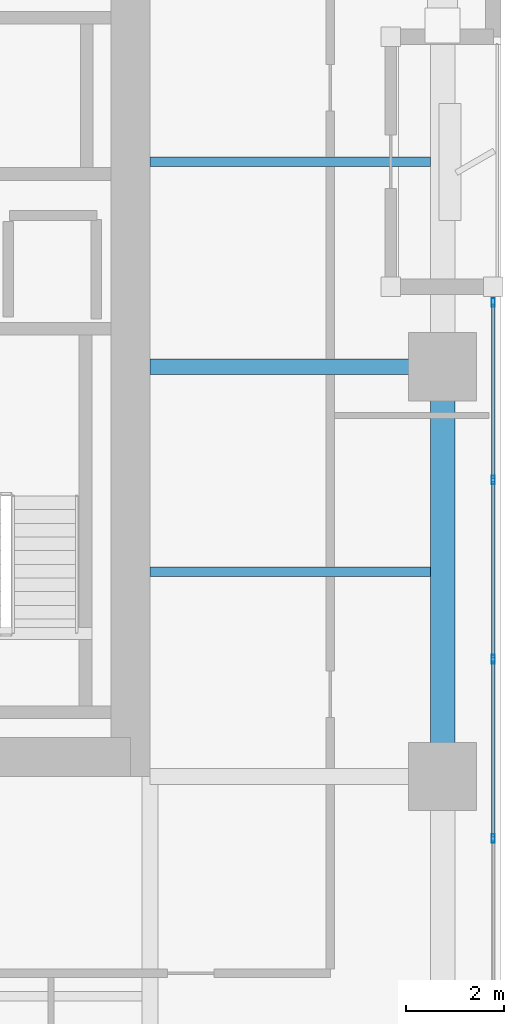
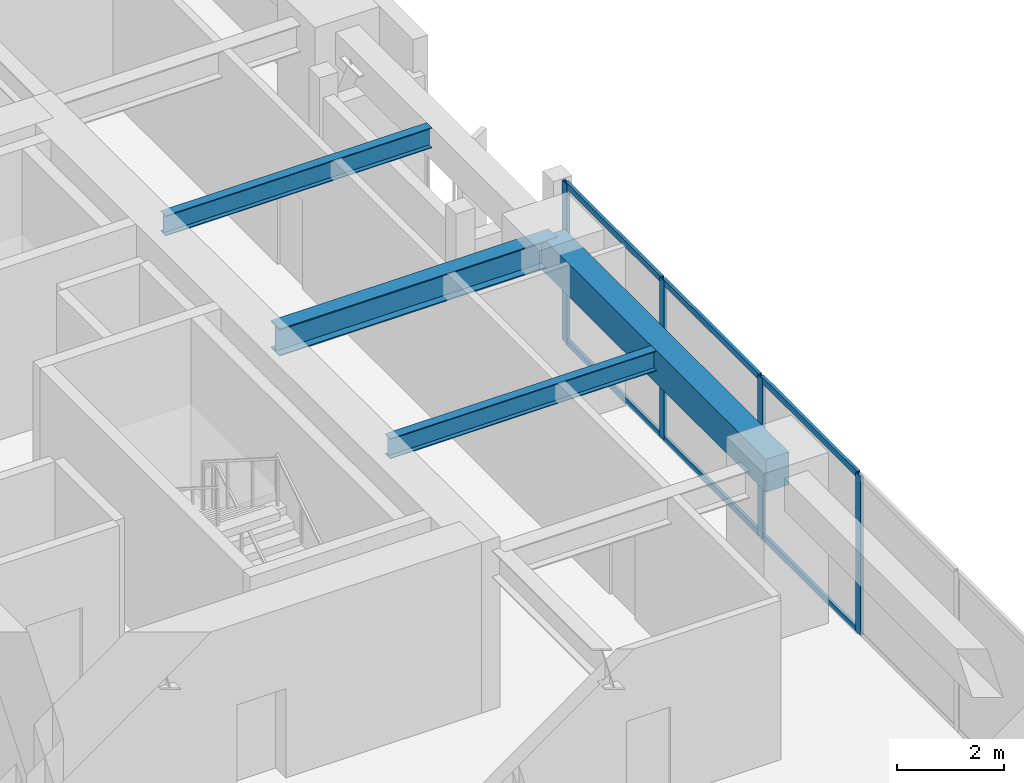
# One storey, part 6 of 24: 10 members, 4 beams, 1 element without a shape of its own.
"""IFC4 building model written with IfcOpenShell, lengths in metres."""

from ifc_helpers import new_model, si_unit, direction, frame, origin, origin_2d, place, context, subcontext, project, spatial, rectangle, hollow_rectangle, i_section, extrude, material, layer, layer_set, material_profile, profile_set, type_object, element, aggregate, save


model = new_model("IFC4")

# Units and contexts
model_context = context("Model", 3, precision=1e-05, world=origin(), true_north=direction((0.0, 1.0)))
body_context = subcontext(model_context, "Body", "Model", "MODEL_VIEW")
ifc_project = project(units=[si_unit("LENGTHUNIT", "METRE"), si_unit("AREAUNIT", "SQUARE_METRE"), si_unit("VOLUMEUNIT", "CUBIC_METRE"), si_unit("PLANEANGLEUNIT", "RADIAN"), si_unit("MASSUNIT", "GRAM", prefix="KILO")], contexts=[model_context])

# Site, building, storey
site_placement = place(None, origin())
site = spatial("IfcSite", under=ifc_project, at=site_placement, CompositionType="ELEMENT")
building_placement = place(site_placement, origin())
building = spatial("IfcBuilding", under=site, at=building_placement, Name="Kiyonajd Concourse Tower", CompositionType="ELEMENT")
storey_placement = place(building_placement, frame((0.0, 0.0, 113.10009765625)))
storey = spatial("IfcBuildingStorey", under=building, at=storey_placement, Name="L29", CompositionType="ELEMENT", Elevation=113.10009765625)

# Beams
ifc_material_1 = material(Name="Steel ASTM A992 Grade 50", Category="steel")
ifc_material_profile_1 = material_profile(ifc_material_1, i_section(OverallWidth=0.19189453125, OverallDepth=0.462890625, WebThickness=0.010498046875, FlangeThickness=0.017578125, at=origin_2d()), Name="W460X89")
ifc_profile_set_1 = profile_set([ifc_material_profile_1], Name="Steel ASTM A992 Grade 50")
beam_type_1 = type_object("IfcBeamType", Name="BM-JST-460B", PredefinedType="JOIST", material=ifc_profile_set_1)
for number, where, z_axis, x_axis, name in (
    (1, (63.60009765625, 31.800048828125, 3.408447265625), (1.0, 0.0, 0.0), (0.0, 1.0, 0.0), "L29 East Secondary Floor Joist"),
    (2, (63.60009765625, 40.199951171875, 3.408447265625), (1.0, 0.0, 0.0), (0.0, 1.0, 0.0), "L29 East Secondary Floor Joist"),
):
    element("IfcBeam", number, at=place(storey_placement, frame(where, z_axis=z_axis, x_axis=x_axis)), inside=storey, type_object=beam_type_1, Name=name, PredefinedType="JOIST", context=body_context, shape_type="SweptSolid", body=[
        extrude(i_section(OverallWidth=0.19189453125, OverallDepth=0.462890625, WebThickness=0.010498046875, FlangeThickness=0.017578125, at=origin_2d()), origin(), (0.0, 0.0, 1.0), 5.75),
    ])
ifc_material_2 = material(Name="Precast concrete C50/60", Category="concrete")
ifc_material_profile_2 = material_profile(ifc_material_2, rectangle(XDim=0.5, YDim=0.75, at=origin_2d()), Name="RCBM-500x750")
ifc_profile_set_2 = profile_set([ifc_material_profile_2], Name="Precast concrete C50/60")
beam_type_2 = type_object("IfcBeamType", Name="BM-SPAN-RC", PredefinedType="SPANDREL", material=ifc_profile_set_2)
beam_1_placement = place(storey_placement, frame((69.60009765625, 27.60009765625, 3.264892578125), z_axis=(0.0, 1.0, 0.0), x_axis=(-1.0, 0.0, 0.0)))
element("IfcBeam", 3, at=beam_1_placement, inside=storey, type_object=beam_type_2, Name="L29 Perimeter Bundled Tube Spandrel", PredefinedType="SPANDREL", context=body_context, shape_type="SweptSolid", body=[
    extrude(rectangle(XDim=0.5, YDim=0.75, at=origin_2d()), origin(), (0.0, 0.0, 1.0), 8.39990234375),
])
ifc_material_profile_3 = material_profile(ifc_material_1, i_section(OverallWidth=0.326904296875, OverallDepth=0.6220703125, WebThickness=0.015380859375, FlangeThickness=0.0244140625, at=origin_2d()), Name="W610X195")
ifc_profile_set_3 = profile_set([ifc_material_profile_3], Name="Steel ASTM A992 Grade 50")
beam_type_3 = type_object("IfcBeamType", Name="BM-TWR-610A", PredefinedType="BEAM", material=ifc_profile_set_3)
beam_2_placement = place(storey_placement, frame((63.60009765625, 36.0, 3.328857421875), z_axis=(1.0, 0.0, 0.0), x_axis=(0.0, 1.0, 0.0)))
element("IfcBeam", 4, at=beam_2_placement, inside=storey, type_object=beam_type_3, Name="L29 East Lease Girder", PredefinedType="BEAM", context=body_context, shape_type="SweptSolid", body=[
    extrude(i_section(OverallWidth=0.326904296875, OverallDepth=0.6220703125, WebThickness=0.015380859375, FlangeThickness=0.0244140625, at=origin_2d()), origin(), (0.0, 0.0, 1.0), 6.0),
])

# Curtain wall, members
ifc_material_3 = material(Name="Thermally Broken Anodised Aluminium", Category="aluminium")
ifc_layer = layer(ifc_material_3, 0.179931640625)
ifc_layer_set = layer_set([ifc_layer], Name="Thermally Broken Anodised Aluminium")
curtain_wall_type = type_object("IfcCurtainWallType", Name="CW-SYS-03", PredefinedType="NOTDEFINED", material=ifc_layer_set)
curtain_wall_placement = place(storey_placement, origin())
curtain_wall = element("IfcCurtainWall", 5, at=curtain_wall_placement, inside=storey, type_object=curtain_wall_type, Name="L29 Unitised Curtain Wall CW3", PredefinedType="NOTDEFINED")
ifc_material_profile_4 = material_profile(ifc_material_3, hollow_rectangle(XDim=0.06494140625, YDim=0.179931640625, WallThickness=0.00390625, at=origin_2d()), Name="MULL-65x180")
ifc_profile_set_4 = profile_set([ifc_material_profile_4], Name="Thermally Broken Anodised Aluminium")
member_type_1 = type_object("IfcMemberType", Name="MB-CW-MULL1", PredefinedType="MULLION", material=ifc_profile_set_4)
member_1_placement = place(storey_placement, frame((70.639892578125, 37.3173828125, 0.0), z_axis=(0.0, 0.0, 1.0), x_axis=(1.0, 0.0, 0.0)))
member_1 = element("IfcMember", 6, at=member_1_placement, type_object=member_type_1, Name="CW3 mullion 1", PredefinedType="MULLION", context=body_context, shape_type="SweptSolid", body=[
    extrude(hollow_rectangle(XDim=0.06494140625, YDim=0.179931640625, WallThickness=0.00390625, at=origin_2d()), origin(), (0.0, 0.0, 1.0), 3.639892578125),
])
member_2_placement = place(storey_placement, frame((70.639892578125, 33.6767578125, 0.0), z_axis=(0.0, 0.0, 1.0), x_axis=(1.0, 0.0, 0.0)))
member_2 = element("IfcMember", 7, at=member_2_placement, type_object=member_type_1, Name="CW3 mullion 2", PredefinedType="MULLION", context=body_context, shape_type="SweptSolid", body=[
    extrude(hollow_rectangle(XDim=0.06494140625, YDim=0.179931640625, WallThickness=0.00390625, at=origin_2d()), origin(), (0.0, 0.0, 1.0), 3.639892578125),
])
member_3_placement = place(storey_placement, frame((70.639892578125, 30.003662109375, 0.0), z_axis=(0.0, 0.0, 1.0), x_axis=(1.0, 0.0, 0.0)))
member_3 = element("IfcMember", 8, at=member_3_placement, type_object=member_type_1, Name="CW3 mullion 3", PredefinedType="MULLION", context=body_context, shape_type="SweptSolid", body=[
    extrude(hollow_rectangle(XDim=0.06494140625, YDim=0.179931640625, WallThickness=0.00390625, at=origin_2d()), origin(), (0.0, 0.0, 1.0), 3.639892578125),
])
member_4_placement = place(storey_placement, frame((70.639892578125, 26.33056640625, 0.0), z_axis=(0.0, 0.0, 1.0), x_axis=(1.0, 0.0, 0.0)))
member_4 = element("IfcMember", 9, at=member_4_placement, type_object=member_type_1, Name="CW3 mullion 4", PredefinedType="MULLION", context=body_context, shape_type="SweptSolid", body=[
    extrude(hollow_rectangle(XDim=0.06494140625, YDim=0.179931640625, WallThickness=0.00390625, at=origin_2d()), origin(), (0.0, 0.0, 1.0), 3.639892578125),
])
ifc_material_profile_5 = material_profile(ifc_material_3, hollow_rectangle(XDim=0.06494140625, YDim=0.139892578125, WallThickness=0.00390625, at=origin_2d()), Name="TRAN-65x140")
ifc_profile_set_5 = profile_set([ifc_material_profile_5], Name="Thermally Broken Anodised Aluminium")
member_type_2 = type_object("IfcMemberType", Name="MB-CW-TRAN1", PredefinedType="USERDEFINED", material=ifc_profile_set_5)
member_5_placement = place(storey_placement, frame((70.639892578125, 37.284912109375, 0.032470703125), z_axis=(0.0, -1.0, 0.0), x_axis=(1.0, 0.0, 0.0)))
member_5 = element("IfcMember", 10, at=member_5_placement, type_object=member_type_2, Name="CW3 transom 1.1", ObjectType="TRANSOM", PredefinedType="USERDEFINED", context=body_context, shape_type="SweptSolid", body=[
    extrude(hollow_rectangle(XDim=0.06494140625, YDim=0.139892578125, WallThickness=0.00390625, at=origin_2d()), origin(), (0.0, 0.0, 1.0), 3.57568359375),
])
member_6_placement = place(storey_placement, frame((70.639892578125, 37.284912109375, 3.607421875), z_axis=(0.0, -1.0, 0.0), x_axis=(1.0, 0.0, 0.0)))
member_6 = element("IfcMember", 11, at=member_6_placement, type_object=member_type_2, Name="CW3 transom 1.2", ObjectType="TRANSOM", PredefinedType="USERDEFINED", context=body_context, shape_type="SweptSolid", body=[
    extrude(hollow_rectangle(XDim=0.06494140625, YDim=0.139892578125, WallThickness=0.00390625, at=origin_2d()), origin(), (0.0, 0.0, 1.0), 3.57568359375),
])
member_7_placement = place(storey_placement, frame((70.639892578125, 33.644287109375, 0.032470703125), z_axis=(0.0, -1.0, 0.0), x_axis=(1.0, 0.0, 0.0)))
member_7 = element("IfcMember", 12, at=member_7_placement, type_object=member_type_2, Name="CW3 transom 2.1", ObjectType="TRANSOM", PredefinedType="USERDEFINED", context=body_context, shape_type="SweptSolid", body=[
    extrude(hollow_rectangle(XDim=0.06494140625, YDim=0.139892578125, WallThickness=0.00390625, at=origin_2d()), origin(), (0.0, 0.0, 1.0), 3.608154296875),
])
member_8_placement = place(storey_placement, frame((70.639892578125, 33.644287109375, 3.607421875), z_axis=(0.0, -1.0, 0.0), x_axis=(1.0, 0.0, 0.0)))
member_8 = element("IfcMember", 13, at=member_8_placement, type_object=member_type_2, Name="CW3 transom 2.2", ObjectType="TRANSOM", PredefinedType="USERDEFINED", context=body_context, shape_type="SweptSolid", body=[
    extrude(hollow_rectangle(XDim=0.06494140625, YDim=0.139892578125, WallThickness=0.00390625, at=origin_2d()), origin(), (0.0, 0.0, 1.0), 3.608154296875),
])
member_9_placement = place(storey_placement, frame((70.639892578125, 29.97119140625, 0.032470703125), z_axis=(0.0, -1.0, 0.0), x_axis=(1.0, 0.0, 0.0)))
member_9 = element("IfcMember", 14, at=member_9_placement, type_object=member_type_2, Name="CW3 transom 3.1", ObjectType="TRANSOM", PredefinedType="USERDEFINED", context=body_context, shape_type="SweptSolid", body=[
    extrude(hollow_rectangle(XDim=0.06494140625, YDim=0.139892578125, WallThickness=0.00390625, at=origin_2d()), origin(), (0.0, 0.0, 1.0), 3.608154296875),
])
member_10_placement = place(storey_placement, frame((70.639892578125, 29.97119140625, 3.607421875), z_axis=(0.0, -1.0, 0.0), x_axis=(1.0, 0.0, 0.0)))
member_10 = element("IfcMember", 15, at=member_10_placement, type_object=member_type_2, Name="CW3 transom 3.2", ObjectType="TRANSOM", PredefinedType="USERDEFINED", context=body_context, shape_type="SweptSolid", body=[
    extrude(hollow_rectangle(XDim=0.06494140625, YDim=0.139892578125, WallThickness=0.00390625, at=origin_2d()), origin(), (0.0, 0.0, 1.0), 3.608154296875),
])
aggregate(curtain_wall, [member_1, member_2, member_3, member_4, member_5, member_6, member_7, member_8, member_9, member_10])

save(model, "model.ifc")
